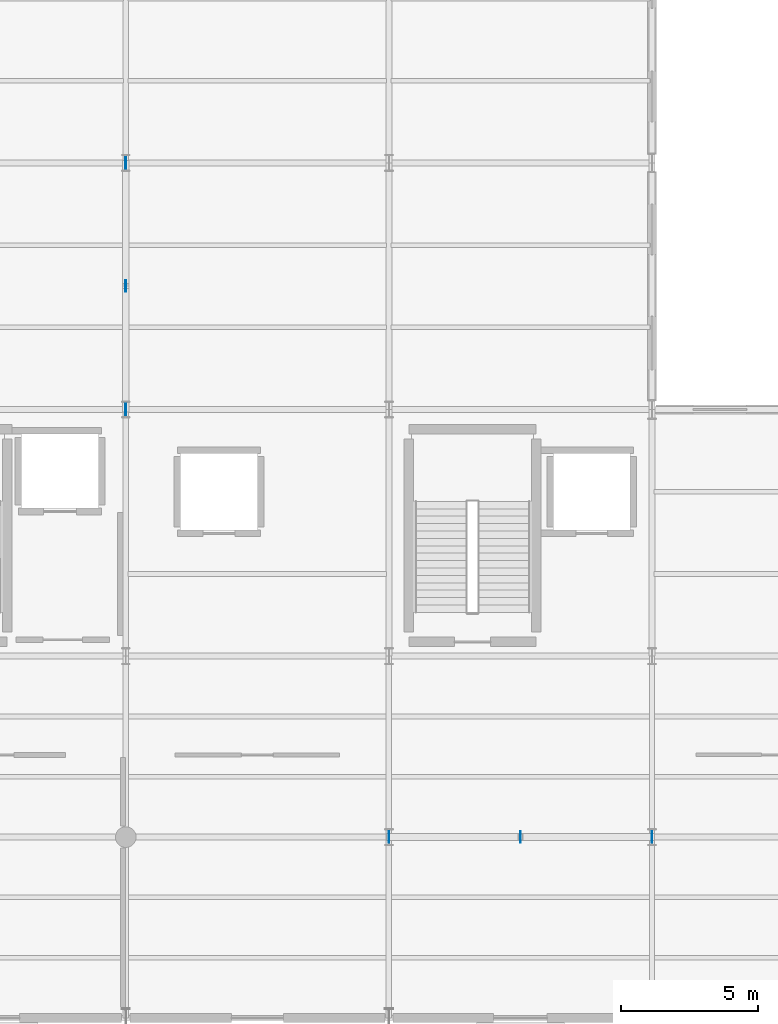
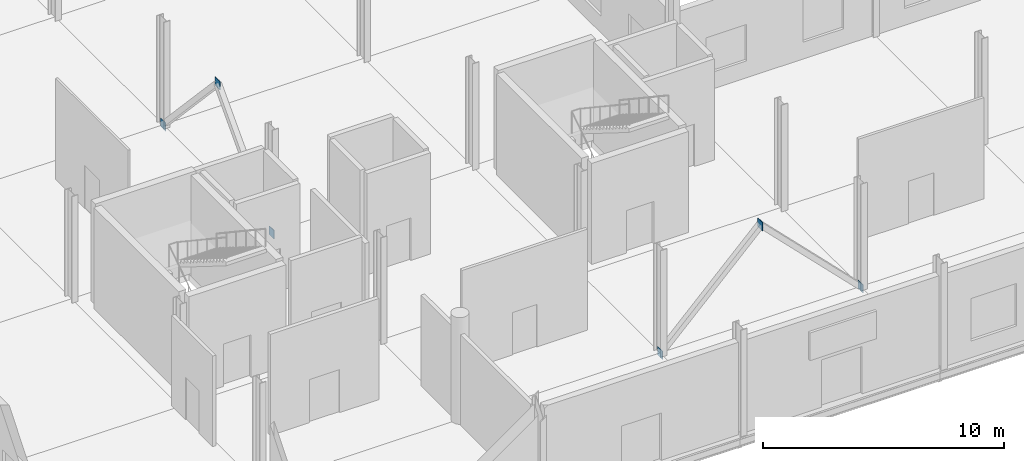
# One storey, part 57 of 85: 6 plates.
"""IFC4 building model written with IfcOpenShell, lengths in metres."""

from ifc_helpers import new_model, si_unit, direction, frame, origin, origin_2d, place, context, subcontext, project, spatial, rectangle, extrude, material, layer, layer_set, type_object, element, save


model = new_model("IFC4")

# Units and contexts
model_context = context("Model", 3, precision=1e-05, world=origin(), true_north=direction((0.0, 1.0)))
body_context = subcontext(model_context, "Body", "Model", "MODEL_VIEW")
ifc_project = project(units=[si_unit("LENGTHUNIT", "METRE"), si_unit("AREAUNIT", "SQUARE_METRE"), si_unit("VOLUMEUNIT", "CUBIC_METRE"), si_unit("PLANEANGLEUNIT", "RADIAN"), si_unit("MASSUNIT", "GRAM", prefix="KILO")], contexts=[model_context])

# Site, building, storey
site_placement = place(None, origin())
site = spatial("IfcSite", under=ifc_project, at=site_placement, CompositionType="ELEMENT")
building_placement = place(site_placement, origin())
building = spatial("IfcBuilding", under=site, at=building_placement, Name="Zarnetskaya Central Station", CompositionType="ELEMENT")
storey_placement = place(building_placement, origin())
storey = spatial("IfcBuildingStorey", under=building, at=storey_placement, Name="L00", CompositionType="ELEMENT", Elevation=0.0)

# Plates
ifc_material = material(Name="Steel S355", Category="steel")
ifc_layer = layer(ifc_material, 0.028076171875, Name="Steel S355", Category="steel")
ifc_layer_set = layer_set([ifc_layer], Name="Steel S355")
plate_type = type_object("IfcPlateType", Name="ND-GUSSET-28", PredefinedType="USERDEFINED", material=ifc_layer_set)
for number, where, z_axis, x_axis, name in (
    (1, (19.199951171875, 22.199951171875, -0.2099609375), (0.0, 0.0, 1.0), (1.0, 0.0, 0.0), "Structural member end gusset plate 113"),
    (2, (19.199951171875, 26.699951171875, 4.610107421875), (0.0, 0.0, 1.0), (1.0, 0.0, 0.0), "Structural member end gusset plate 114"),
    (3, (19.199951171875, 31.199951171875, -0.2099609375), (0.0, 0.0, 1.0), (1.0, 0.0, 0.0), "Structural member end gusset plate 115"),
    (4, (28.800048828125, 6.60009765625, -0.2099609375), (0.0, 0.0, 1.0), (1.0, 0.0, 0.0), "Structural member end gusset plate 125"),
    (5, (33.60009765625, 6.60009765625, 4.610107421875), (0.0, 0.0, 1.0), (1.0, 0.0, 0.0), "Structural member end gusset plate 126"),
    (6, (38.39990234375, 6.60009765625, -0.2099609375), (0.0, 0.0, 1.0), (1.0, 0.0, 0.0), "Structural member end gusset plate 127"),
):
    element("IfcPlate", number, at=place(storey_placement, frame(where, z_axis=z_axis, x_axis=x_axis)), inside=storey, type_object=plate_type, Name=name, ObjectType="GUSSET PLATE", PredefinedType="USERDEFINED", context=body_context, shape_type="SweptSolid", body=[
        extrude(rectangle(XDim=0.028076171875, YDim=0.419921875, at=origin_2d()), origin(), (0.0, 0.0, 1.0), 0.419921875),
    ])

save(model, "model.ifc")
